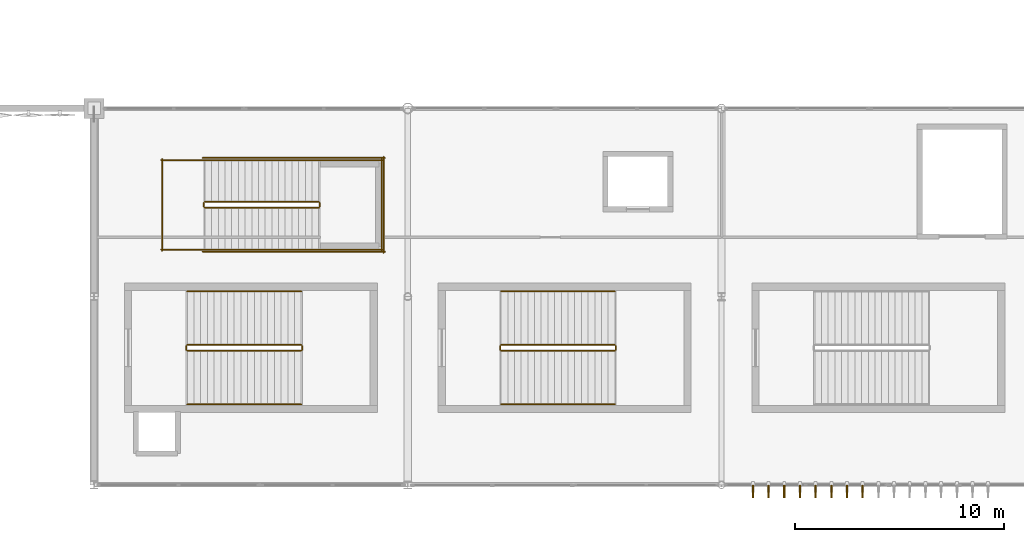
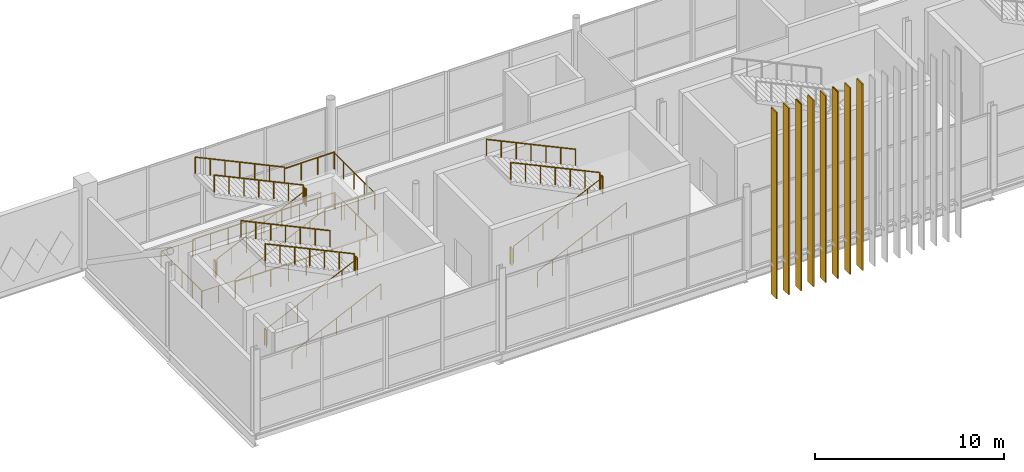
# One storey, part 106 of 119: 27 railings, 8 coverings, 8 shading devices.
"""IFC4 building model written with IfcOpenShell, lengths in metres."""

from ifc_helpers import new_model, si_unit, direction, frame, origin, origin_2d, place, context, subcontext, project, spatial, rectangle, circle, extrude, material, layer, layer_set, type_object, element, save


model = new_model("IFC4")

# Units and contexts
model_context = context("Model", 3, precision=1e-05, world=origin(), true_north=direction((0.0, 1.0)))
body_context = subcontext(model_context, "Body", "Model", "MODEL_VIEW")
ifc_project = project(units=[si_unit("LENGTHUNIT", "METRE"), si_unit("AREAUNIT", "SQUARE_METRE"), si_unit("VOLUMEUNIT", "CUBIC_METRE"), si_unit("PLANEANGLEUNIT", "RADIAN"), si_unit("MASSUNIT", "GRAM", prefix="KILO")], contexts=[model_context])

# Site, building, storey
site_placement = place(None, origin())
site = spatial("IfcSite", under=ifc_project, at=site_placement, CompositionType="ELEMENT")
building_placement = place(site_placement, origin())
building = spatial("IfcBuilding", under=site, at=building_placement, Name="Qamarlyn Nura Convention Centre", CompositionType="ELEMENT")
storey_placement = place(building_placement, frame((0.0, 0.0, 5.39990234375)))
storey = spatial("IfcBuildingStorey", under=building, at=storey_placement, Name="L01", CompositionType="ELEMENT", Elevation=5.39990234375)

# Coverings
ifc_material_1 = material(Name="UAE coastal limestone stone cladding", Category="masonry")
ifc_layer = layer(ifc_material_1, 0.044921875, Name="COV-PLINTH-LIME")
ifc_layer_set = layer_set([ifc_layer], Name="UAE coastal limestone stone cladding")
covering_type = type_object("IfcCoveringType", Name="COV-PLINTH-LIME", PredefinedType="CLADDING", material=ifc_layer_set)
for number, where, z_axis, x_axis, name in (
    (1, (91.5, -0.320068359375, -2.10009765625), (0.0, 0.0, 1.0), (0.0, -1.0, 0.0), "Entrance vertical blade casing CLUST-A-01"),
    (2, (92.25, -0.320068359375, -2.10009765625), (0.0, 0.0, 1.0), (0.0, -1.0, 0.0), "Entrance vertical blade casing CLUST-A-02"),
    (3, (93.0, -0.320068359375, -2.10009765625), (0.0, 0.0, 1.0), (0.0, -1.0, 0.0), "Entrance vertical blade casing CLUST-A-03"),
    (4, (93.75, -0.320068359375, -2.10009765625), (0.0, 0.0, 1.0), (0.0, -1.0, 0.0), "Entrance vertical blade casing CLUST-A-04"),
    (5, (94.5, -0.320068359375, -2.10009765625), (0.0, 0.0, 1.0), (0.0, -1.0, 0.0), "Entrance vertical blade casing CLUST-A-05"),
    (6, (95.25, -0.320068359375, -2.10009765625), (0.0, 0.0, 1.0), (0.0, -1.0, 0.0), "Entrance vertical blade casing CLUST-A-06"),
    (7, (96.0, -0.320068359375, -2.10009765625), (0.0, 0.0, 1.0), (0.0, -1.0, 0.0), "Entrance vertical blade casing CLUST-A-07"),
    (8, (96.75, -0.320068359375, -2.10009765625), (0.0, 0.0, 1.0), (0.0, -1.0, 0.0), "Entrance vertical blade casing CLUST-A-08"),
):
    element("IfcCovering", number, at=place(storey_placement, frame(where, z_axis=z_axis, x_axis=x_axis)), inside=storey, type_object=covering_type, Name=name, PredefinedType="CLADDING", context=body_context, shape_type="SweptSolid", body=[
        extrude(rectangle(XDim=0.5849609375, YDim=0.072021484375, at=origin_2d()), origin(), (0.0, 0.0, 1.0), 12.050048828125),
    ])

# Railings
ifc_material_2 = material(Name="Marine Grade 316 stainless steel", Category="steel")
railing_type_1 = type_object("IfcRailingType", Name="GRD-STAIR-112", PredefinedType="BALUSTRADE", material=ifc_material_2)
railing_1_placement = place(storey_placement, frame((64.4599609375, 6.409912109375, 0.150146484375)))
element("IfcRailing", 9, at=railing_1_placement, inside=storey, type_object=railing_type_1, Name="L01 ST-05 stair guard 1", PredefinedType="BALUSTRADE", context=body_context, shape_type="SweptSolid", body=[
    extrude(circle(Radius=0.02392578125, at=origin_2d()), frame((0.0, 0.0, 1.09619140625), z_axis=(0.90545405566, 0.0, 0.424444287379), x_axis=(0.0, 1.0, 0.0)), (0.0, 0.0, 1.0), 6.008056640625),
    extrude(circle(Radius=0.02099609375, at=origin_2d()), origin(), (0.0, 0.0, 1.0), 1.070068359375),
    extrude(circle(Radius=0.02099609375, at=origin_2d()), frame((0.90673828125, 0.0, 0.425048828125)), (0.0, 0.0, 1.0), 1.070068359375),
    extrude(circle(Radius=0.02099609375, at=origin_2d()), frame((1.813232421875, 0.0, 0.85009765625)), (0.0, 0.0, 1.0), 1.070068359375),
    extrude(circle(Radius=0.02099609375, at=origin_2d()), frame((2.719970703125, 0.0, 1.27490234375)), (0.0, 0.0, 1.0), 1.070068359375),
    extrude(circle(Radius=0.02099609375, at=origin_2d()), frame((3.626708984375, 0.0, 1.699951171875)), (0.0, 0.0, 1.0), 1.070068359375),
    extrude(circle(Radius=0.02099609375, at=origin_2d()), frame((4.533203125, 0.0, 2.125)), (0.0, 0.0, 1.0), 1.070068359375),
    extrude(circle(Radius=0.02099609375, at=origin_2d()), frame((5.43994140625, 0.0, 2.550048828125)), (0.0, 0.0, 1.0), 1.070068359375),
])
railing_2_placement = place(storey_placement, frame((69.949951171875, 6.4599609375, 2.7001953125)))
element("IfcRailing", 10, at=railing_2_placement, inside=storey, type_object=railing_type_1, Name="L01 ST-05 stair guard 2", PredefinedType="BALUSTRADE", context=body_context, shape_type="SweptSolid", body=[
    extrude(circle(Radius=0.02392578125, at=origin_2d()), frame((0.0, 0.0, 1.09619140625), z_axis=(0.0, 1.0, 0.0), x_axis=(-1.0, 0.0, 0.0)), (0.0, 0.0, 1.0), 0.179931640625),
    extrude(circle(Radius=0.02099609375, at=origin_2d()), origin(), (0.0, 0.0, 1.0), 1.070068359375),
    extrude(circle(Radius=0.02099609375, at=origin_2d()), frame((0.0, 0.179931640625, 0.0)), (0.0, 0.0, 1.0), 1.070068359375),
])
railing_3_placement = place(storey_placement, frame((69.89990234375, 6.68994140625, 2.85009765625)))
element("IfcRailing", 11, at=railing_3_placement, inside=storey, type_object=railing_type_1, Name="L01 ST-05 stair guard 3", PredefinedType="BALUSTRADE", context=body_context, shape_type="SweptSolid", body=[
    extrude(circle(Radius=0.02392578125, at=origin_2d()), frame((0.0, 0.0, 1.09619140625), z_axis=(-0.90545405566, 0.0, 0.424444287379), x_axis=(0.0, -1.0, 0.0)), (0.0, 0.0, 1.0), 6.008056640625),
    extrude(circle(Radius=0.02099609375, at=origin_2d()), origin(), (0.0, 0.0, 1.0), 1.070068359375),
    extrude(circle(Radius=0.02099609375, at=origin_2d()), frame((-0.90673828125, 0.0, 0.425048828125)), (0.0, 0.0, 1.0), 1.070068359375),
    extrude(circle(Radius=0.02099609375, at=origin_2d()), frame((-1.813232421875, 0.0, 0.85009765625)), (0.0, 0.0, 1.0), 1.070068359375),
    extrude(circle(Radius=0.02099609375, at=origin_2d()), frame((-2.719970703125, 0.0, 1.27490234375)), (0.0, 0.0, 1.0), 1.070068359375),
    extrude(circle(Radius=0.02099609375, at=origin_2d()), frame((-3.626708984375, 0.0, 1.699951171875)), (0.0, 0.0, 1.0), 1.070068359375),
    extrude(circle(Radius=0.02099609375, at=origin_2d()), frame((-4.533203125, 0.0, 2.125)), (0.0, 0.0, 1.0), 1.070068359375),
    extrude(circle(Radius=0.02099609375, at=origin_2d()), frame((-5.43994140625, 0.0, 2.550048828125)), (0.0, 0.0, 1.0), 1.070068359375),
])
railing_4_placement = place(storey_placement, frame((64.409912109375, 6.4599609375, 0.0)))
element("IfcRailing", 12, at=railing_4_placement, inside=storey, type_object=railing_type_1, Name="L01 ST-05 stair guard 4", PredefinedType="BALUSTRADE", context=body_context, shape_type="SweptSolid", body=[
    extrude(circle(Radius=0.02392578125, at=origin_2d()), frame((0.0, 0.0, 1.09619140625), z_axis=(0.0, 1.0, 0.0), x_axis=(-1.0, 0.0, 0.0)), (0.0, 0.0, 1.0), 0.179931640625),
    extrude(circle(Radius=0.02099609375, at=origin_2d()), origin(), (0.0, 0.0, 1.0), 1.070068359375),
    extrude(circle(Radius=0.02099609375, at=origin_2d()), frame((0.0, 0.179931640625, 0.0)), (0.0, 0.0, 1.0), 1.070068359375),
])
railing_5_placement = place(storey_placement, frame((79.4599609375, 6.409912109375, 0.150146484375)))
element("IfcRailing", 13, at=railing_5_placement, inside=storey, type_object=railing_type_1, Name="L01 ST-06 stair guard 1", PredefinedType="BALUSTRADE", context=body_context, shape_type="SweptSolid", body=[
    extrude(circle(Radius=0.02392578125, at=origin_2d()), frame((0.0, 0.0, 1.09619140625), z_axis=(0.90545405566, 0.0, 0.424444287379), x_axis=(0.0, 1.0, 0.0)), (0.0, 0.0, 1.0), 6.008056640625),
    extrude(circle(Radius=0.02099609375, at=origin_2d()), origin(), (0.0, 0.0, 1.0), 1.070068359375),
    extrude(circle(Radius=0.02099609375, at=origin_2d()), frame((0.90673828125, 0.0, 0.425048828125)), (0.0, 0.0, 1.0), 1.070068359375),
    extrude(circle(Radius=0.02099609375, at=origin_2d()), frame((1.813232421875, 0.0, 0.85009765625)), (0.0, 0.0, 1.0), 1.070068359375),
    extrude(circle(Radius=0.02099609375, at=origin_2d()), frame((2.719970703125, 0.0, 1.27490234375)), (0.0, 0.0, 1.0), 1.070068359375),
    extrude(circle(Radius=0.02099609375, at=origin_2d()), frame((3.626708984375, 0.0, 1.699951171875)), (0.0, 0.0, 1.0), 1.070068359375),
    extrude(circle(Radius=0.02099609375, at=origin_2d()), frame((4.533203125, 0.0, 2.125)), (0.0, 0.0, 1.0), 1.070068359375),
    extrude(circle(Radius=0.02099609375, at=origin_2d()), frame((5.43994140625, 0.0, 2.550048828125)), (0.0, 0.0, 1.0), 1.070068359375),
])
railing_6_placement = place(storey_placement, frame((84.949951171875, 6.4599609375, 2.7001953125)))
element("IfcRailing", 14, at=railing_6_placement, inside=storey, type_object=railing_type_1, Name="L01 ST-06 stair guard 2", PredefinedType="BALUSTRADE", context=body_context, shape_type="SweptSolid", body=[
    extrude(circle(Radius=0.02392578125, at=origin_2d()), frame((0.0, 0.0, 1.09619140625), z_axis=(0.0, 1.0, 0.0), x_axis=(-1.0, 0.0, 0.0)), (0.0, 0.0, 1.0), 0.179931640625),
    extrude(circle(Radius=0.02099609375, at=origin_2d()), origin(), (0.0, 0.0, 1.0), 1.070068359375),
    extrude(circle(Radius=0.02099609375, at=origin_2d()), frame((0.0, 0.179931640625, 0.0)), (0.0, 0.0, 1.0), 1.070068359375),
])
railing_7_placement = place(storey_placement, frame((84.89990234375, 6.68994140625, 2.85009765625)))
element("IfcRailing", 15, at=railing_7_placement, inside=storey, type_object=railing_type_1, Name="L01 ST-06 stair guard 3", PredefinedType="BALUSTRADE", context=body_context, shape_type="SweptSolid", body=[
    extrude(circle(Radius=0.02392578125, at=origin_2d()), frame((0.0, 0.0, 1.09619140625), z_axis=(-0.90545405566, 0.0, 0.424444287379), x_axis=(0.0, -1.0, 0.0)), (0.0, 0.0, 1.0), 6.008056640625),
    extrude(circle(Radius=0.02099609375, at=origin_2d()), origin(), (0.0, 0.0, 1.0), 1.070068359375),
    extrude(circle(Radius=0.02099609375, at=origin_2d()), frame((-0.90673828125, 0.0, 0.425048828125)), (0.0, 0.0, 1.0), 1.070068359375),
    extrude(circle(Radius=0.02099609375, at=origin_2d()), frame((-1.813232421875, 0.0, 0.85009765625)), (0.0, 0.0, 1.0), 1.070068359375),
    extrude(circle(Radius=0.02099609375, at=origin_2d()), frame((-2.719970703125, 0.0, 1.27490234375)), (0.0, 0.0, 1.0), 1.070068359375),
    extrude(circle(Radius=0.02099609375, at=origin_2d()), frame((-3.626708984375, 0.0, 1.699951171875)), (0.0, 0.0, 1.0), 1.070068359375),
    extrude(circle(Radius=0.02099609375, at=origin_2d()), frame((-4.533203125, 0.0, 2.125)), (0.0, 0.0, 1.0), 1.070068359375),
    extrude(circle(Radius=0.02099609375, at=origin_2d()), frame((-5.43994140625, 0.0, 2.550048828125)), (0.0, 0.0, 1.0), 1.070068359375),
])
railing_8_placement = place(storey_placement, frame((79.409912109375, 6.4599609375, 0.0)))
element("IfcRailing", 16, at=railing_8_placement, inside=storey, type_object=railing_type_1, Name="L01 ST-06 stair guard 4", PredefinedType="BALUSTRADE", context=body_context, shape_type="SweptSolid", body=[
    extrude(circle(Radius=0.02392578125, at=origin_2d()), frame((0.0, 0.0, 1.09619140625), z_axis=(0.0, 1.0, 0.0), x_axis=(-1.0, 0.0, 0.0)), (0.0, 0.0, 1.0), 0.179931640625),
    extrude(circle(Radius=0.02099609375, at=origin_2d()), origin(), (0.0, 0.0, 1.0), 1.070068359375),
    extrude(circle(Radius=0.02099609375, at=origin_2d()), frame((0.0, 0.179931640625, 0.0)), (0.0, 0.0, 1.0), 1.070068359375),
])
railing_9_placement = place(storey_placement, frame((65.300048828125, 13.25, 0.150146484375)))
element("IfcRailing", 17, at=railing_9_placement, inside=storey, type_object=railing_type_1, Name="L01 ST-19 stair guard 1", PredefinedType="BALUSTRADE", context=body_context, shape_type="SweptSolid", body=[
    extrude(circle(Radius=0.02392578125, at=origin_2d()), frame((0.0, 0.0, 1.09619140625), z_axis=(0.90545405566, 0.0, 0.424444287379), x_axis=(0.0, 1.0, 0.0)), (0.0, 0.0, 1.0), 6.008056640625),
    extrude(circle(Radius=0.02099609375, at=origin_2d()), origin(), (0.0, 0.0, 1.0), 1.070068359375),
    extrude(circle(Radius=0.02099609375, at=origin_2d()), frame((0.90673828125, 0.0, 0.425048828125)), (0.0, 0.0, 1.0), 1.070068359375),
    extrude(circle(Radius=0.02099609375, at=origin_2d()), frame((1.813232421875, 0.0, 0.85009765625)), (0.0, 0.0, 1.0), 1.070068359375),
    extrude(circle(Radius=0.02099609375, at=origin_2d()), frame((2.719970703125, 0.0, 1.27490234375)), (0.0, 0.0, 1.0), 1.070068359375),
    extrude(circle(Radius=0.02099609375, at=origin_2d()), frame((3.626708984375, 0.0, 1.699951171875)), (0.0, 0.0, 1.0), 1.070068359375),
    extrude(circle(Radius=0.02099609375, at=origin_2d()), frame((4.533203125, 0.0, 2.125)), (0.0, 0.0, 1.0), 1.070068359375),
    extrude(circle(Radius=0.02099609375, at=origin_2d()), frame((5.43994140625, 0.0, 2.550048828125)), (0.0, 0.0, 1.0), 1.070068359375),
])
railing_10_placement = place(storey_placement, frame((70.7900390625, 13.300048828125, 2.7001953125)))
element("IfcRailing", 18, at=railing_10_placement, inside=storey, type_object=railing_type_1, Name="L01 ST-19 stair guard 2", PredefinedType="BALUSTRADE", context=body_context, shape_type="SweptSolid", body=[
    extrude(circle(Radius=0.02392578125, at=origin_2d()), frame((0.0, 0.0, 1.09619140625), z_axis=(0.0, 1.0, 0.0), x_axis=(-1.0, 0.0, 0.0)), (0.0, 0.0, 1.0), 0.179931640625),
    extrude(circle(Radius=0.02099609375, at=origin_2d()), origin(), (0.0, 0.0, 1.0), 1.070068359375),
    extrude(circle(Radius=0.02099609375, at=origin_2d()), frame((0.0, 0.179931640625, 0.0)), (0.0, 0.0, 1.0), 1.070068359375),
])
for number, where, name in (
    (19, (70.739990234375, 11.25, 2.7001953125), "L01 ST-19 stair guard 3"),
    (20, (70.739990234375, 15.530029296875, 2.7001953125), "L01 ST-19 stair guard 4"),
):
    element("IfcRailing", number, at=place(storey_placement, frame(where)), inside=storey, type_object=railing_type_1, Name=name, PredefinedType="BALUSTRADE", context=body_context, shape_type="SweptSolid", body=[
        extrude(circle(Radius=0.02392578125, at=origin_2d()), frame((0.0, 0.0, 1.09619140625), z_axis=(1.0, 0.0, 0.0), x_axis=(0.0, 1.0, 0.0)), (0.0, 0.0, 1.0), 3.06005859375),
        extrude(circle(Radius=0.02099609375, at=origin_2d()), origin(), (0.0, 0.0, 1.0), 1.070068359375),
        extrude(circle(Radius=0.02099609375, at=origin_2d()), frame((1.02001953125, 0.0, 0.0)), (0.0, 0.0, 1.0), 1.070068359375),
        extrude(circle(Radius=0.02099609375, at=origin_2d()), frame((2.0400390625, 0.0, 0.0)), (0.0, 0.0, 1.0), 1.070068359375),
        extrude(circle(Radius=0.02099609375, at=origin_2d()), frame((3.06005859375, 0.0, 0.0)), (0.0, 0.0, 1.0), 1.070068359375),
    ])
railing_11_placement = place(storey_placement, frame((73.75, 11.199951171875, 2.7001953125)))
element("IfcRailing", 21, at=railing_11_placement, inside=storey, type_object=railing_type_1, Name="L01 ST-19 stair guard 5", PredefinedType="BALUSTRADE", context=body_context, shape_type="SweptSolid", body=[
    extrude(circle(Radius=0.02392578125, at=origin_2d()), frame((0.0, 0.0, 1.09619140625), z_axis=(0.0, 1.0, 0.0), x_axis=(-1.0, 0.0, 0.0)), (0.0, 0.0, 1.0), 4.380126953125),
    extrude(circle(Radius=0.02099609375, at=origin_2d()), origin(), (0.0, 0.0, 1.0), 1.070068359375),
    extrude(circle(Radius=0.02099609375, at=origin_2d()), frame((0.0, 1.094970703125, 0.0)), (0.0, 0.0, 1.0), 1.070068359375),
    extrude(circle(Radius=0.02099609375, at=origin_2d()), frame((0.0, 2.18994140625, 0.0)), (0.0, 0.0, 1.0), 1.070068359375),
    extrude(circle(Radius=0.02099609375, at=origin_2d()), frame((0.0, 3.28515625, 0.0)), (0.0, 0.0, 1.0), 1.070068359375),
    extrude(circle(Radius=0.02099609375, at=origin_2d()), frame((0.0, 4.380126953125, 0.0)), (0.0, 0.0, 1.0), 1.070068359375),
])
railing_12_placement = place(storey_placement, frame((70.739990234375, 13.530029296875, 2.85009765625)))
element("IfcRailing", 22, at=railing_12_placement, inside=storey, type_object=railing_type_1, Name="L01 ST-19 stair guard 6", PredefinedType="BALUSTRADE", context=body_context, shape_type="SweptSolid", body=[
    extrude(circle(Radius=0.02392578125, at=origin_2d()), frame((0.0, 0.0, 1.09619140625), z_axis=(-0.90545405566, 0.0, 0.424444287379), x_axis=(0.0, -1.0, 0.0)), (0.0, 0.0, 1.0), 6.008056640625),
    extrude(circle(Radius=0.02099609375, at=origin_2d()), origin(), (0.0, 0.0, 1.0), 1.070068359375),
    extrude(circle(Radius=0.02099609375, at=origin_2d()), frame((-0.90673828125, 0.0, 0.425048828125)), (0.0, 0.0, 1.0), 1.070068359375),
    extrude(circle(Radius=0.02099609375, at=origin_2d()), frame((-1.813232421875, 0.0, 0.85009765625)), (0.0, 0.0, 1.0), 1.070068359375),
    extrude(circle(Radius=0.02099609375, at=origin_2d()), frame((-2.719970703125, 0.0, 1.27490234375)), (0.0, 0.0, 1.0), 1.070068359375),
    extrude(circle(Radius=0.02099609375, at=origin_2d()), frame((-3.626708984375, 0.0, 1.699951171875)), (0.0, 0.0, 1.0), 1.070068359375),
    extrude(circle(Radius=0.02099609375, at=origin_2d()), frame((-4.533203125, 0.0, 2.125)), (0.0, 0.0, 1.0), 1.070068359375),
    extrude(circle(Radius=0.02099609375, at=origin_2d()), frame((-5.43994140625, 0.0, 2.550048828125)), (0.0, 0.0, 1.0), 1.070068359375),
])
railing_13_placement = place(storey_placement, frame((65.25, 13.300048828125, 0.0)))
element("IfcRailing", 23, at=railing_13_placement, inside=storey, type_object=railing_type_1, Name="L01 ST-19 stair guard 7", PredefinedType="BALUSTRADE", context=body_context, shape_type="SweptSolid", body=[
    extrude(circle(Radius=0.02392578125, at=origin_2d()), frame((0.0, 0.0, 1.09619140625), z_axis=(0.0, 1.0, 0.0), x_axis=(-1.0, 0.0, 0.0)), (0.0, 0.0, 1.0), 0.179931640625),
    extrude(circle(Radius=0.02099609375, at=origin_2d()), origin(), (0.0, 0.0, 1.0), 1.070068359375),
    extrude(circle(Radius=0.02099609375, at=origin_2d()), frame((0.0, 0.179931640625, 0.0)), (0.0, 0.0, 1.0), 1.070068359375),
])
for number, where, name in (
    (24, (63.199951171875, 11.25, 0.0), "L01 ST-19 stair guard 8"),
    (25, (63.199951171875, 15.530029296875, 0.0), "L01 ST-19 stair guard 9"),
):
    element("IfcRailing", number, at=place(storey_placement, frame(where)), inside=storey, type_object=railing_type_1, Name=name, PredefinedType="BALUSTRADE", context=body_context, shape_type="SweptSolid", body=[
        extrude(circle(Radius=0.02392578125, at=origin_2d()), frame((0.0, 0.0, 1.09619140625), z_axis=(1.0, 0.0, 0.0), x_axis=(0.0, 1.0, 0.0)), (0.0, 0.0, 1.0), 2.10009765625),
        extrude(circle(Radius=0.02099609375, at=origin_2d()), origin(), (0.0, 0.0, 1.0), 1.070068359375),
        extrude(circle(Radius=0.02099609375, at=origin_2d()), frame((1.050048828125, 0.0, 0.0)), (0.0, 0.0, 1.0), 1.070068359375),
        extrude(circle(Radius=0.02099609375, at=origin_2d()), frame((2.10009765625, 0.0, 0.0)), (0.0, 0.0, 1.0), 1.070068359375),
    ])
railing_14_placement = place(storey_placement, frame((63.25, 11.199951171875, 0.0)))
element("IfcRailing", 26, at=railing_14_placement, inside=storey, type_object=railing_type_1, Name="L01 ST-19 stair guard 10", PredefinedType="BALUSTRADE", context=body_context, shape_type="SweptSolid", body=[
    extrude(circle(Radius=0.02392578125, at=origin_2d()), frame((0.0, 0.0, 1.09619140625), z_axis=(0.0, 1.0, 0.0), x_axis=(-1.0, 0.0, 0.0)), (0.0, 0.0, 1.0), 4.380126953125),
    extrude(circle(Radius=0.02099609375, at=origin_2d()), origin(), (0.0, 0.0, 1.0), 1.070068359375),
    extrude(circle(Radius=0.02099609375, at=origin_2d()), frame((0.0, 1.094970703125, 0.0)), (0.0, 0.0, 1.0), 1.070068359375),
    extrude(circle(Radius=0.02099609375, at=origin_2d()), frame((0.0, 2.18994140625, 0.0)), (0.0, 0.0, 1.0), 1.070068359375),
    extrude(circle(Radius=0.02099609375, at=origin_2d()), frame((0.0, 3.28515625, 0.0)), (0.0, 0.0, 1.0), 1.070068359375),
    extrude(circle(Radius=0.02099609375, at=origin_2d()), frame((0.0, 4.380126953125, 0.0)), (0.0, 0.0, 1.0), 1.070068359375),
])
for number, where, name in (
    (27, (65.199951171875, 11.14990234375, 0.0), "L01 ST-19 stair guard 11"),
    (28, (65.199951171875, 15.6298828125, 0.0), "L01 ST-19 stair guard 12"),
):
    element("IfcRailing", number, at=place(storey_placement, frame(where)), inside=storey, type_object=railing_type_1, Name=name, PredefinedType="BALUSTRADE", context=body_context, shape_type="SweptSolid", body=[
        extrude(circle(Radius=0.02392578125, at=origin_2d()), frame((0.0, 0.0, 1.09619140625), z_axis=(1.0, 0.0, 0.0), x_axis=(0.0, 1.0, 0.0)), (0.0, 0.0, 1.0), 8.699951171875),
        extrude(circle(Radius=0.02099609375, at=origin_2d()), origin(), (0.0, 0.0, 1.0), 1.070068359375),
        extrude(circle(Radius=0.02099609375, at=origin_2d()), frame((1.08740234375, 0.0, 0.0)), (0.0, 0.0, 1.0), 1.070068359375),
        extrude(circle(Radius=0.02099609375, at=origin_2d()), frame((2.175048828125, 0.0, 0.0)), (0.0, 0.0, 1.0), 1.070068359375),
        extrude(circle(Radius=0.02099609375, at=origin_2d()), frame((3.262451171875, 0.0, 0.0)), (0.0, 0.0, 1.0), 1.070068359375),
        extrude(circle(Radius=0.02099609375, at=origin_2d()), frame((4.35009765625, 0.0, 0.0)), (0.0, 0.0, 1.0), 1.070068359375),
        extrude(circle(Radius=0.02099609375, at=origin_2d()), frame((5.4375, 0.0, 0.0)), (0.0, 0.0, 1.0), 1.070068359375),
        extrude(circle(Radius=0.02099609375, at=origin_2d()), frame((6.52490234375, 0.0, 0.0)), (0.0, 0.0, 1.0), 1.070068359375),
        extrude(circle(Radius=0.02099609375, at=origin_2d()), frame((7.612548828125, 0.0, 0.0)), (0.0, 0.0, 1.0), 1.070068359375),
        extrude(circle(Radius=0.02099609375, at=origin_2d()), frame((8.699951171875, 0.0, 0.0)), (0.0, 0.0, 1.0), 1.070068359375),
    ])
railing_15_placement = place(storey_placement, frame((73.85009765625, 11.10009765625, 0.0)))
element("IfcRailing", 29, at=railing_15_placement, inside=storey, type_object=railing_type_1, Name="L01 ST-19 stair guard 13", PredefinedType="BALUSTRADE", context=body_context, shape_type="SweptSolid", body=[
    extrude(circle(Radius=0.02392578125, at=origin_2d()), frame((0.0, 0.0, 1.09619140625), z_axis=(0.0, 1.0, 0.0), x_axis=(-1.0, 0.0, 0.0)), (0.0, 0.0, 1.0), 4.579833984375),
    extrude(circle(Radius=0.02099609375, at=origin_2d()), origin(), (0.0, 0.0, 1.0), 1.070068359375),
    extrude(circle(Radius=0.02099609375, at=origin_2d()), frame((0.0, 1.14501953125, 0.0)), (0.0, 0.0, 1.0), 1.070068359375),
    extrude(circle(Radius=0.02099609375, at=origin_2d()), frame((0.0, 2.2900390625, 0.0)), (0.0, 0.0, 1.0), 1.070068359375),
    extrude(circle(Radius=0.02099609375, at=origin_2d()), frame((0.0, 3.434814453125, 0.0)), (0.0, 0.0, 1.0), 1.070068359375),
    extrude(circle(Radius=0.02099609375, at=origin_2d()), frame((0.0, 4.579833984375, 0.0)), (0.0, 0.0, 1.0), 1.070068359375),
])
railing_type_2 = type_object("IfcRailingType", Name="HRL-STAIR-090", PredefinedType="HANDRAIL", material=ifc_material_2)
railing_16_placement = place(storey_placement, frame((64.4599609375, 3.85009765625, 0.302490234375)))
element("IfcRailing", 30, at=railing_16_placement, inside=storey, type_object=railing_type_2, Name="L01 ST-05 stair handrail 1", PredefinedType="HANDRAIL", context=body_context, shape_type="SweptSolid", body=[
    extrude(circle(Radius=0.02392578125, at=origin_2d()), frame((0.0, 0.0, 0.88818359375), z_axis=(0.90546967238, 0.0, 0.424410971113), x_axis=(0.0, 1.0, 0.0)), (0.0, 0.0, 1.0), 6.0078125),
    extrude(circle(Radius=0.02099609375, at=origin_2d()), frame((0.0, 0.0, -0.155029296875)), (0.0, 0.0, 1.0), 1.01708984375),
    extrude(circle(Radius=0.02099609375, at=origin_2d()), frame((0.90673828125, 0.0, 0.27001953125)), (0.0, 0.0, 1.0), 1.01708984375),
    extrude(circle(Radius=0.02099609375, at=origin_2d()), frame((1.813232421875, 0.0, 0.69482421875)), (0.0, 0.0, 1.0), 1.01708984375),
    extrude(circle(Radius=0.02099609375, at=origin_2d()), frame((2.719970703125, 0.0, 1.119873046875)), (0.0, 0.0, 1.0), 1.01708984375),
    extrude(circle(Radius=0.02099609375, at=origin_2d()), frame((3.626708984375, 0.0, 1.544921875)), (0.0, 0.0, 1.0), 1.01708984375),
    extrude(circle(Radius=0.02099609375, at=origin_2d()), frame((4.533203125, 0.0, 1.9697265625)), (0.0, 0.0, 1.0), 1.01708984375),
    extrude(circle(Radius=0.02099609375, at=origin_2d()), frame((5.43994140625, 0.0, 2.394775390625)), (0.0, 0.0, 1.0), 1.01708984375),
])
railing_17_placement = place(storey_placement, frame((69.89990234375, 9.25, 3.00244140625)))
element("IfcRailing", 31, at=railing_17_placement, inside=storey, type_object=railing_type_2, Name="L01 ST-05 stair handrail 2", PredefinedType="HANDRAIL", context=body_context, shape_type="SweptSolid", body=[
    extrude(circle(Radius=0.02392578125, at=origin_2d()), frame((0.0, 0.0, 0.88818359375), z_axis=(-0.90545405566, 0.0, 0.424444287379), x_axis=(0.0, -1.0, 0.0)), (0.0, 0.0, 1.0), 6.008056640625),
    extrude(circle(Radius=0.02099609375, at=origin_2d()), frame((0.0, 0.0, -0.155029296875)), (0.0, 0.0, 1.0), 1.01708984375),
    extrude(circle(Radius=0.02099609375, at=origin_2d()), frame((-0.90673828125, 0.0, 0.27001953125)), (0.0, 0.0, 1.0), 1.01708984375),
    extrude(circle(Radius=0.02099609375, at=origin_2d()), frame((-1.813232421875, 0.0, 0.695068359375)), (0.0, 0.0, 1.0), 1.01708984375),
    extrude(circle(Radius=0.02099609375, at=origin_2d()), frame((-2.719970703125, 0.0, 1.1201171875)), (0.0, 0.0, 1.0), 1.01708984375),
    extrude(circle(Radius=0.02099609375, at=origin_2d()), frame((-3.626708984375, 0.0, 1.544921875)), (0.0, 0.0, 1.0), 1.01708984375),
    extrude(circle(Radius=0.02099609375, at=origin_2d()), frame((-4.533203125, 0.0, 1.969970703125)), (0.0, 0.0, 1.0), 1.01708984375),
    extrude(circle(Radius=0.02099609375, at=origin_2d()), frame((-5.43994140625, 0.0, 2.39501953125)), (0.0, 0.0, 1.0), 1.01708984375),
])
railing_18_placement = place(storey_placement, frame((79.4599609375, 3.85009765625, 0.302490234375)))
element("IfcRailing", 32, at=railing_18_placement, inside=storey, type_object=railing_type_2, Name="L01 ST-06 stair handrail 1", PredefinedType="HANDRAIL", context=body_context, shape_type="SweptSolid", body=[
    extrude(circle(Radius=0.02392578125, at=origin_2d()), frame((0.0, 0.0, 0.88818359375), z_axis=(0.90546967238, 0.0, 0.424410971113), x_axis=(0.0, 1.0, 0.0)), (0.0, 0.0, 1.0), 6.0078125),
    extrude(circle(Radius=0.02099609375, at=origin_2d()), frame((0.0, 0.0, -0.155029296875)), (0.0, 0.0, 1.0), 1.01708984375),
    extrude(circle(Radius=0.02099609375, at=origin_2d()), frame((0.90673828125, 0.0, 0.27001953125)), (0.0, 0.0, 1.0), 1.01708984375),
    extrude(circle(Radius=0.02099609375, at=origin_2d()), frame((1.813232421875, 0.0, 0.69482421875)), (0.0, 0.0, 1.0), 1.01708984375),
    extrude(circle(Radius=0.02099609375, at=origin_2d()), frame((2.719970703125, 0.0, 1.119873046875)), (0.0, 0.0, 1.0), 1.01708984375),
    extrude(circle(Radius=0.02099609375, at=origin_2d()), frame((3.626708984375, 0.0, 1.544921875)), (0.0, 0.0, 1.0), 1.01708984375),
    extrude(circle(Radius=0.02099609375, at=origin_2d()), frame((4.533203125, 0.0, 1.9697265625)), (0.0, 0.0, 1.0), 1.01708984375),
    extrude(circle(Radius=0.02099609375, at=origin_2d()), frame((5.43994140625, 0.0, 2.394775390625)), (0.0, 0.0, 1.0), 1.01708984375),
])
railing_19_placement = place(storey_placement, frame((84.89990234375, 9.25, 3.00244140625)))
element("IfcRailing", 33, at=railing_19_placement, inside=storey, type_object=railing_type_2, Name="L01 ST-06 stair handrail 2", PredefinedType="HANDRAIL", context=body_context, shape_type="SweptSolid", body=[
    extrude(circle(Radius=0.02392578125, at=origin_2d()), frame((0.0, 0.0, 0.88818359375), z_axis=(-0.90545405566, 0.0, 0.424444287379), x_axis=(0.0, -1.0, 0.0)), (0.0, 0.0, 1.0), 6.008056640625),
    extrude(circle(Radius=0.02099609375, at=origin_2d()), frame((0.0, 0.0, -0.155029296875)), (0.0, 0.0, 1.0), 1.01708984375),
    extrude(circle(Radius=0.02099609375, at=origin_2d()), frame((-0.90673828125, 0.0, 0.27001953125)), (0.0, 0.0, 1.0), 1.01708984375),
    extrude(circle(Radius=0.02099609375, at=origin_2d()), frame((-1.813232421875, 0.0, 0.695068359375)), (0.0, 0.0, 1.0), 1.01708984375),
    extrude(circle(Radius=0.02099609375, at=origin_2d()), frame((-2.719970703125, 0.0, 1.1201171875)), (0.0, 0.0, 1.0), 1.01708984375),
    extrude(circle(Radius=0.02099609375, at=origin_2d()), frame((-3.626708984375, 0.0, 1.544921875)), (0.0, 0.0, 1.0), 1.01708984375),
    extrude(circle(Radius=0.02099609375, at=origin_2d()), frame((-4.533203125, 0.0, 1.969970703125)), (0.0, 0.0, 1.0), 1.01708984375),
    extrude(circle(Radius=0.02099609375, at=origin_2d()), frame((-5.43994140625, 0.0, 2.39501953125)), (0.0, 0.0, 1.0), 1.01708984375),
])
railing_20_placement = place(storey_placement, frame((65.300048828125, 11.25, 0.302490234375)))
element("IfcRailing", 34, at=railing_20_placement, inside=storey, type_object=railing_type_2, Name="L01 ST-19 stair handrail 1", PredefinedType="HANDRAIL", context=body_context, shape_type="SweptSolid", body=[
    extrude(circle(Radius=0.02392578125, at=origin_2d()), frame((0.0, 0.0, 0.88818359375), z_axis=(0.90546967238, 0.0, 0.424410971113), x_axis=(0.0, 1.0, 0.0)), (0.0, 0.0, 1.0), 6.0078125),
    extrude(circle(Radius=0.02099609375, at=origin_2d()), frame((0.0, 0.0, -0.155029296875)), (0.0, 0.0, 1.0), 1.01708984375),
    extrude(circle(Radius=0.02099609375, at=origin_2d()), frame((0.90673828125, 0.0, 0.27001953125)), (0.0, 0.0, 1.0), 1.01708984375),
    extrude(circle(Radius=0.02099609375, at=origin_2d()), frame((1.813232421875, 0.0, 0.69482421875)), (0.0, 0.0, 1.0), 1.01708984375),
    extrude(circle(Radius=0.02099609375, at=origin_2d()), frame((2.719970703125, 0.0, 1.119873046875)), (0.0, 0.0, 1.0), 1.01708984375),
    extrude(circle(Radius=0.02099609375, at=origin_2d()), frame((3.626708984375, 0.0, 1.544921875)), (0.0, 0.0, 1.0), 1.01708984375),
    extrude(circle(Radius=0.02099609375, at=origin_2d()), frame((4.533203125, 0.0, 1.9697265625)), (0.0, 0.0, 1.0), 1.01708984375),
    extrude(circle(Radius=0.02099609375, at=origin_2d()), frame((5.43994140625, 0.0, 2.394775390625)), (0.0, 0.0, 1.0), 1.01708984375),
])
railing_21_placement = place(storey_placement, frame((70.739990234375, 15.530029296875, 3.00244140625)))
element("IfcRailing", 35, at=railing_21_placement, inside=storey, type_object=railing_type_2, Name="L01 ST-19 stair handrail 2", PredefinedType="HANDRAIL", context=body_context, shape_type="SweptSolid", body=[
    extrude(circle(Radius=0.02392578125, at=origin_2d()), frame((0.0, 0.0, 0.88818359375), z_axis=(-0.90545405566, 0.0, 0.424444287379), x_axis=(0.0, -1.0, 0.0)), (0.0, 0.0, 1.0), 6.008056640625),
    extrude(circle(Radius=0.02099609375, at=origin_2d()), frame((0.0, 0.0, -0.155029296875)), (0.0, 0.0, 1.0), 1.01708984375),
    extrude(circle(Radius=0.02099609375, at=origin_2d()), frame((-0.90673828125, 0.0, 0.27001953125)), (0.0, 0.0, 1.0), 1.01708984375),
    extrude(circle(Radius=0.02099609375, at=origin_2d()), frame((-1.813232421875, 0.0, 0.695068359375)), (0.0, 0.0, 1.0), 1.01708984375),
    extrude(circle(Radius=0.02099609375, at=origin_2d()), frame((-2.719970703125, 0.0, 1.1201171875)), (0.0, 0.0, 1.0), 1.01708984375),
    extrude(circle(Radius=0.02099609375, at=origin_2d()), frame((-3.626708984375, 0.0, 1.544921875)), (0.0, 0.0, 1.0), 1.01708984375),
    extrude(circle(Radius=0.02099609375, at=origin_2d()), frame((-4.533203125, 0.0, 1.969970703125)), (0.0, 0.0, 1.0), 1.01708984375),
    extrude(circle(Radius=0.02099609375, at=origin_2d()), frame((-5.43994140625, 0.0, 2.39501953125)), (0.0, 0.0, 1.0), 1.01708984375),
])

# Shading devices
ifc_material_3 = material(Name="Champagne-anodised marine aluminium", Category="aluminium")
shading_device_type = type_object("IfcShadingDeviceType", Name="SHD-ENT-FIN", PredefinedType="USERDEFINED", material=ifc_material_3)
for number, where, z_axis, x_axis, name in (
    (36, (91.5, -0.320068359375, -2.10009765625), (0.0, 0.0, 1.0), (0.0, -1.0, 0.0), "Entrance vertical solar blade CLUST-A-01"),
    (37, (92.25, -0.320068359375, -2.10009765625), (0.0, 0.0, 1.0), (0.0, -1.0, 0.0), "Entrance vertical solar blade CLUST-A-02"),
    (38, (93.0, -0.320068359375, -2.10009765625), (0.0, 0.0, 1.0), (0.0, -1.0, 0.0), "Entrance vertical solar blade CLUST-A-03"),
    (39, (93.75, -0.320068359375, -2.10009765625), (0.0, 0.0, 1.0), (0.0, -1.0, 0.0), "Entrance vertical solar blade CLUST-A-04"),
    (40, (94.5, -0.320068359375, -2.10009765625), (0.0, 0.0, 1.0), (0.0, -1.0, 0.0), "Entrance vertical solar blade CLUST-A-05"),
    (41, (95.25, -0.320068359375, -2.10009765625), (0.0, 0.0, 1.0), (0.0, -1.0, 0.0), "Entrance vertical solar blade CLUST-A-06"),
    (42, (96.0, -0.320068359375, -2.10009765625), (0.0, 0.0, 1.0), (0.0, -1.0, 0.0), "Entrance vertical solar blade CLUST-A-07"),
    (43, (96.75, -0.320068359375, -2.10009765625), (0.0, 0.0, 1.0), (0.0, -1.0, 0.0), "Entrance vertical solar blade CLUST-A-08"),
):
    element("IfcShadingDevice", number, at=place(storey_placement, frame(where, z_axis=z_axis, x_axis=x_axis)), inside=storey, type_object=shading_device_type, Name=name, ObjectType="FIN", PredefinedType="USERDEFINED", context=body_context, shape_type="SweptSolid", body=[
        extrude(rectangle(XDim=0.580078125, YDim=0.06494140625, at=origin_2d()), origin(), (0.0, 0.0, 1.0), 12.050048828125),
    ])

save(model, "model.ifc")
